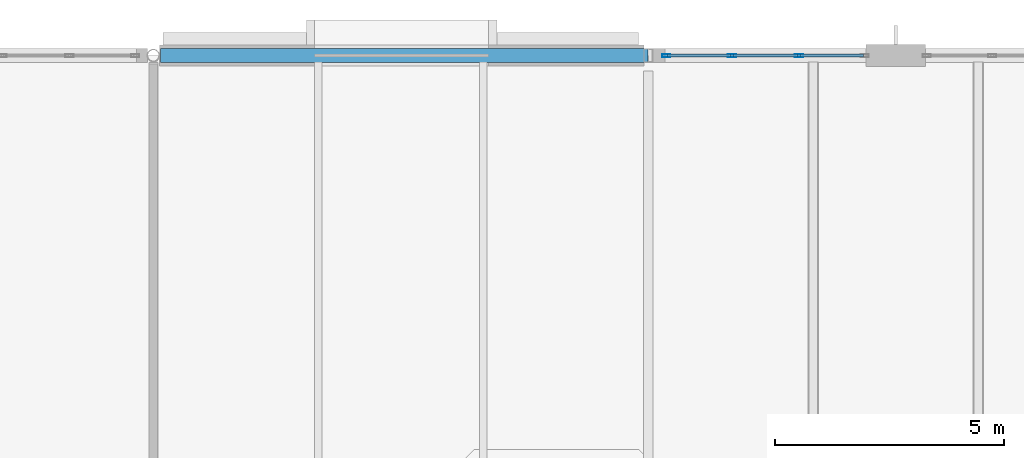
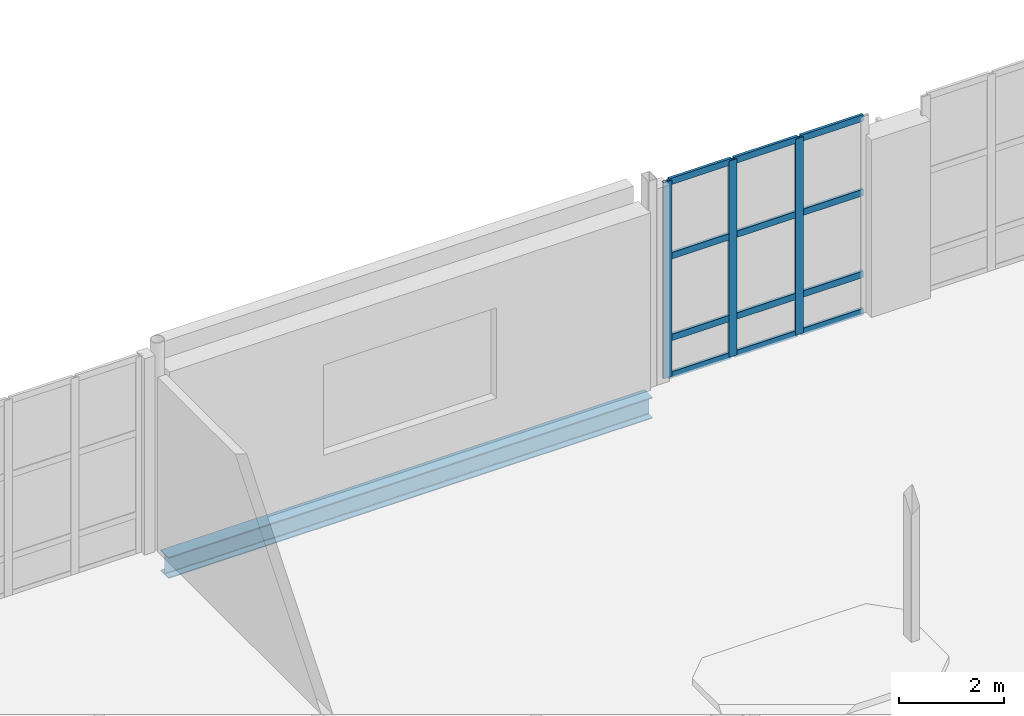
# One storey, part 48 of 100: 15 members, 1 beam, 1 element without a shape of its own.
"""IFC4 building model written with IfcOpenShell, lengths in metres."""

from ifc_helpers import new_model, si_unit, direction, frame, origin, origin_2d, place, context, subcontext, project, spatial, hollow_rectangle, i_section, extrude, material, layer, layer_set, material_profile, profile_set, type_object, element, aggregate, save


model = new_model("IFC4")

# Units and contexts
model_context = context("Model", 3, precision=1e-05, world=origin(), true_north=direction((0.0, 1.0)))
body_context = subcontext(model_context, "Body", "Model", "MODEL_VIEW")
ifc_project = project(units=[si_unit("LENGTHUNIT", "METRE"), si_unit("AREAUNIT", "SQUARE_METRE"), si_unit("VOLUMEUNIT", "CUBIC_METRE"), si_unit("PLANEANGLEUNIT", "RADIAN"), si_unit("MASSUNIT", "GRAM", prefix="KILO")], contexts=[model_context])

# Site, building, storey
site_placement = place(None, origin())
site = spatial("IfcSite", under=ifc_project, at=site_placement, CompositionType="ELEMENT")
building_placement = place(site_placement, origin())
building = spatial("IfcBuilding", under=site, at=building_placement, Name="Tasgan Crest Museum", CompositionType="ELEMENT")
storey_placement = place(building_placement, frame((0.0, 0.0, 9.60009765625)))
storey = spatial("IfcBuildingStorey", under=building, at=storey_placement, Name="L02", CompositionType="ELEMENT", Elevation=9.60009765625)

# Beam
ifc_material_1 = material(Name="Steel S355J2", Category="steel")
ifc_material_profile_1 = material_profile(ifc_material_1, i_section(OverallWidth=0.300048828125, OverallDepth=0.489990234375, WebThickness=0.011962890625, FlangeThickness=0.02294921875, FilletRadius=0.027099609375, at=origin_2d()), Name="HEA 500")
ifc_profile_set_1 = profile_set([ifc_material_profile_1], Name="Steel S355J2")
beam_type = type_object("IfcBeamType", Name="BM-G-HEA500", PredefinedType="BEAM", material=ifc_profile_set_1)
beam_placement = place(storey_placement, frame((43.35791015625, 112.0, -0.485107421875), z_axis=(1.0, 0.0, 0.0), x_axis=(0.0, 1.0, 0.0)))
element("IfcBeam", 1, at=beam_placement, inside=storey, type_object=beam_type, Name="Girder L02 M 43.2-54.0", PredefinedType="BEAM", context=body_context, shape_type="SweptSolid", body=[
    extrude(i_section(OverallWidth=0.300048828125, OverallDepth=0.489990234375, WebThickness=0.011962890625, FlangeThickness=0.02294921875, FilletRadius=0.027099609375, at=origin_2d()), origin(), (0.0, 0.0, 1.0), 10.63671875),
])

# Curtain wall, members
ifc_material_2 = material(Name="Triple-Glazed Aluminium Curtain Wall", Category="aluminium")
ifc_layer = layer(ifc_material_2, 0.179931640625, Name="CW-CORE-STRIP-48")
ifc_layer_set = layer_set([ifc_layer], Name="Triple-Glazed Aluminium Curtain Wall")
curtain_wall_type = type_object("IfcCurtainWallType", Name="CW-CORE-STRIP-48", PredefinedType="NOTDEFINED", material=ifc_layer_set)
curtain_wall_placement = place(storey_placement, origin())
curtain_wall = element("IfcCurtainWall", 2, at=curtain_wall_placement, inside=storey, type_object=curtain_wall_type, Name="Curtain wall L02 086", PredefinedType="NOTDEFINED")
ifc_material_3 = material(Name="Anodised Aluminium", Category="aluminium")
ifc_material_profile_2 = material_profile(ifc_material_3, hollow_rectangle(XDim=0.06494140625, YDim=0.179931640625, WallThickness=0.0048828125, at=origin_2d()), Name="ALU MULLION 180x65x5")
ifc_profile_set_2 = profile_set([ifc_material_profile_2], Name="Anodised Aluminium")
member_type_1 = type_object("IfcMemberType", Name="CW-MULLION-180", PredefinedType="MULLION", material=ifc_profile_set_2)
member_1_placement = place(storey_placement, frame((57.291748046875, 112.0, 0.0), z_axis=(0.0, 0.0, 1.0), x_axis=(0.0, -1.0, 0.0)))
member_1 = element("IfcMember", 3, at=member_1_placement, type_object=member_type_1, Name="CW19 mullion 2", PredefinedType="MULLION", context=body_context, shape_type="SweptSolid", body=[
    extrude(hollow_rectangle(XDim=0.06494140625, YDim=0.179931640625, WallThickness=0.0048828125, at=origin_2d()), origin(), (0.0, 0.0, 1.0), 4.559814453125),
])
member_2_placement = place(storey_placement, frame((55.828369140625, 112.0, 0.0), z_axis=(0.0, 0.0, 1.0), x_axis=(0.0, -1.0, 0.0)))
member_2 = element("IfcMember", 4, at=member_2_placement, type_object=member_type_1, Name="CW19 mullion 3", PredefinedType="MULLION", context=body_context, shape_type="SweptSolid", body=[
    extrude(hollow_rectangle(XDim=0.06494140625, YDim=0.179931640625, WallThickness=0.0048828125, at=origin_2d()), origin(), (0.0, 0.0, 1.0), 4.559814453125),
])
member_3_placement = place(storey_placement, frame((54.39501953125, 112.0, 0.0), z_axis=(0.0, 0.0, 1.0), x_axis=(0.0, -1.0, 0.0)))
member_3 = element("IfcMember", 5, at=member_3_placement, type_object=member_type_1, Name="CW19 mullion 4", PredefinedType="MULLION", context=body_context, shape_type="SweptSolid", body=[
    extrude(hollow_rectangle(XDim=0.06494140625, YDim=0.179931640625, WallThickness=0.0048828125, at=origin_2d()), origin(), (0.0, 0.0, 1.0), 4.559814453125),
])
ifc_material_4 = material(Name="Anodised Aluminium", Category="aluminium")
ifc_material_profile_3 = material_profile(ifc_material_4, hollow_rectangle(XDim=0.06005859375, YDim=0.14990234375, WallThickness=0.0048828125, at=origin_2d()), Name="ALU TRANSOM 150x60x5")
ifc_profile_set_3 = profile_set([ifc_material_profile_3], Name="Anodised Aluminium")
member_type_2 = type_object("IfcMemberType", Name="CW-TRANSOM-150", PredefinedType="USERDEFINED", material=ifc_profile_set_3)
member_4_placement = place(storey_placement, frame((58.695068359375, 112.0, 0.02978515625), z_axis=(-1.0, 0.0, 0.0), x_axis=(0.0, -1.0, 0.0)))
member_4 = element("IfcMember", 6, at=member_4_placement, type_object=member_type_2, Name="CW19 transom 1.1", ObjectType="TRANSOM", PredefinedType="USERDEFINED", context=body_context, shape_type="SweptSolid", body=[
    extrude(hollow_rectangle(XDim=0.06005859375, YDim=0.14990234375, WallThickness=0.0048828125, at=origin_2d()), origin(), (0.0, 0.0, 1.0), 1.373291015625),
])
member_5_placement = place(storey_placement, frame((58.695068359375, 112.0, 0.89990234375), z_axis=(-1.0, 0.0, 0.0), x_axis=(0.0, -1.0, 0.0)))
member_5 = element("IfcMember", 7, at=member_5_placement, type_object=member_type_2, Name="CW19 transom 1.2", ObjectType="TRANSOM", PredefinedType="USERDEFINED", context=body_context, shape_type="SweptSolid", body=[
    extrude(hollow_rectangle(XDim=0.06005859375, YDim=0.14990234375, WallThickness=0.0048828125, at=origin_2d()), origin(), (0.0, 0.0, 1.0), 1.373291015625),
])
member_6_placement = place(storey_placement, frame((58.695068359375, 112.0, 2.7998046875), z_axis=(-1.0, 0.0, 0.0), x_axis=(0.0, -1.0, 0.0)))
member_6 = element("IfcMember", 8, at=member_6_placement, type_object=member_type_2, Name="CW19 transom 1.3", ObjectType="TRANSOM", PredefinedType="USERDEFINED", context=body_context, shape_type="SweptSolid", body=[
    extrude(hollow_rectangle(XDim=0.06005859375, YDim=0.14990234375, WallThickness=0.0048828125, at=origin_2d()), origin(), (0.0, 0.0, 1.0), 1.373291015625),
])
member_7_placement = place(storey_placement, frame((58.695068359375, 112.0, 4.52978515625), z_axis=(-1.0, 0.0, 0.0), x_axis=(0.0, -1.0, 0.0)))
member_7 = element("IfcMember", 9, at=member_7_placement, type_object=member_type_2, Name="CW19 transom 1.4", ObjectType="TRANSOM", PredefinedType="USERDEFINED", context=body_context, shape_type="SweptSolid", body=[
    extrude(hollow_rectangle(XDim=0.06005859375, YDim=0.14990234375, WallThickness=0.0048828125, at=origin_2d()), origin(), (0.0, 0.0, 1.0), 1.373291015625),
])
member_8_placement = place(storey_placement, frame((57.26171875, 112.0, 0.02978515625), z_axis=(-1.0, 0.0, 0.0), x_axis=(0.0, -1.0, 0.0)))
member_8 = element("IfcMember", 10, at=member_8_placement, type_object=member_type_2, Name="CW19 transom 2.1", ObjectType="TRANSOM", PredefinedType="USERDEFINED", context=body_context, shape_type="SweptSolid", body=[
    extrude(hollow_rectangle(XDim=0.06005859375, YDim=0.14990234375, WallThickness=0.0048828125, at=origin_2d()), origin(), (0.0, 0.0, 1.0), 1.4033203125),
])
member_9_placement = place(storey_placement, frame((57.26171875, 112.0, 0.89990234375), z_axis=(-1.0, 0.0, 0.0), x_axis=(0.0, -1.0, 0.0)))
member_9 = element("IfcMember", 11, at=member_9_placement, type_object=member_type_2, Name="CW19 transom 2.2", ObjectType="TRANSOM", PredefinedType="USERDEFINED", context=body_context, shape_type="SweptSolid", body=[
    extrude(hollow_rectangle(XDim=0.06005859375, YDim=0.14990234375, WallThickness=0.0048828125, at=origin_2d()), origin(), (0.0, 0.0, 1.0), 1.4033203125),
])
member_10_placement = place(storey_placement, frame((57.26171875, 112.0, 2.7998046875), z_axis=(-1.0, 0.0, 0.0), x_axis=(0.0, -1.0, 0.0)))
member_10 = element("IfcMember", 12, at=member_10_placement, type_object=member_type_2, Name="CW19 transom 2.3", ObjectType="TRANSOM", PredefinedType="USERDEFINED", context=body_context, shape_type="SweptSolid", body=[
    extrude(hollow_rectangle(XDim=0.06005859375, YDim=0.14990234375, WallThickness=0.0048828125, at=origin_2d()), origin(), (0.0, 0.0, 1.0), 1.4033203125),
])
member_11_placement = place(storey_placement, frame((57.26171875, 112.0, 4.52978515625), z_axis=(-1.0, 0.0, 0.0), x_axis=(0.0, -1.0, 0.0)))
member_11 = element("IfcMember", 13, at=member_11_placement, type_object=member_type_2, Name="CW19 transom 2.4", ObjectType="TRANSOM", PredefinedType="USERDEFINED", context=body_context, shape_type="SweptSolid", body=[
    extrude(hollow_rectangle(XDim=0.06005859375, YDim=0.14990234375, WallThickness=0.0048828125, at=origin_2d()), origin(), (0.0, 0.0, 1.0), 1.4033203125),
])
member_12_placement = place(storey_placement, frame((55.79833984375, 112.0, 0.02978515625), z_axis=(-1.0, 0.0, 0.0), x_axis=(0.0, -1.0, 0.0)))
member_12 = element("IfcMember", 14, at=member_12_placement, type_object=member_type_2, Name="CW19 transom 3.1", ObjectType="TRANSOM", PredefinedType="USERDEFINED", context=body_context, shape_type="SweptSolid", body=[
    extrude(hollow_rectangle(XDim=0.06005859375, YDim=0.14990234375, WallThickness=0.0048828125, at=origin_2d()), origin(), (0.0, 0.0, 1.0), 1.373291015625),
])
member_13_placement = place(storey_placement, frame((55.79833984375, 112.0, 0.89990234375), z_axis=(-1.0, 0.0, 0.0), x_axis=(0.0, -1.0, 0.0)))
member_13 = element("IfcMember", 15, at=member_13_placement, type_object=member_type_2, Name="CW19 transom 3.2", ObjectType="TRANSOM", PredefinedType="USERDEFINED", context=body_context, shape_type="SweptSolid", body=[
    extrude(hollow_rectangle(XDim=0.06005859375, YDim=0.14990234375, WallThickness=0.0048828125, at=origin_2d()), origin(), (0.0, 0.0, 1.0), 1.373291015625),
])
member_14_placement = place(storey_placement, frame((55.79833984375, 112.0, 2.7998046875), z_axis=(-1.0, 0.0, 0.0), x_axis=(0.0, -1.0, 0.0)))
member_14 = element("IfcMember", 16, at=member_14_placement, type_object=member_type_2, Name="CW19 transom 3.3", ObjectType="TRANSOM", PredefinedType="USERDEFINED", context=body_context, shape_type="SweptSolid", body=[
    extrude(hollow_rectangle(XDim=0.06005859375, YDim=0.14990234375, WallThickness=0.0048828125, at=origin_2d()), origin(), (0.0, 0.0, 1.0), 1.373291015625),
])
member_15_placement = place(storey_placement, frame((55.79833984375, 112.0, 4.52978515625), z_axis=(-1.0, 0.0, 0.0), x_axis=(0.0, -1.0, 0.0)))
member_15 = element("IfcMember", 17, at=member_15_placement, type_object=member_type_2, Name="CW19 transom 3.4", ObjectType="TRANSOM", PredefinedType="USERDEFINED", context=body_context, shape_type="SweptSolid", body=[
    extrude(hollow_rectangle(XDim=0.06005859375, YDim=0.14990234375, WallThickness=0.0048828125, at=origin_2d()), origin(), (0.0, 0.0, 1.0), 1.373291015625),
])
aggregate(curtain_wall, [member_1, member_2, member_3, member_4, member_5, member_6, member_7, member_8, member_9, member_10, member_11, member_12, member_13, member_14, member_15])

save(model, "model.ifc")
